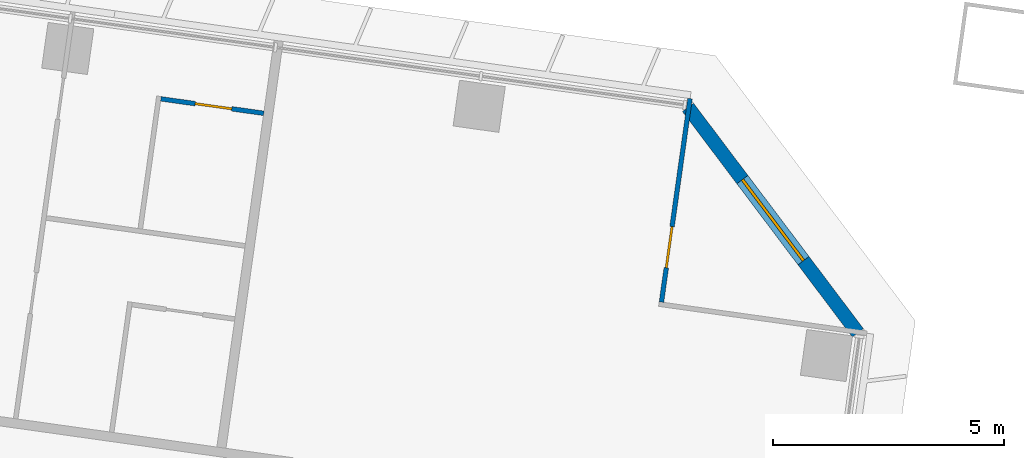
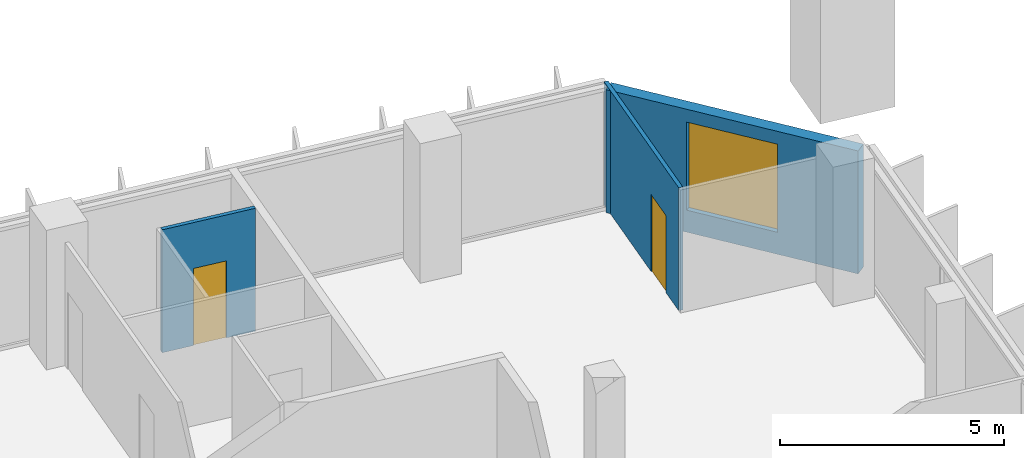
# One storey, part 18 of 25: 3 walls, 2 doors, 1 window, 3 openings.
"""IFC4 building model written with IfcOpenShell, lengths in metres."""

from ifc_helpers import new_model, si_unit, direction, frame, frame_2d, origin, place, context, subcontext, project, spatial, rectangle, extrude, material, layer, layer_set, type_object, element, fill, save


model = new_model("IFC4")

# Units and contexts
model_context = context("Model", 3, precision=1e-05, world=origin(), true_north=direction((0.0, 1.0)))
body_context = subcontext(model_context, "Body", "Model", "MODEL_VIEW")
ifc_project = project(units=[si_unit("LENGTHUNIT", "METRE"), si_unit("AREAUNIT", "SQUARE_METRE"), si_unit("VOLUMEUNIT", "CUBIC_METRE"), si_unit("PLANEANGLEUNIT", "RADIAN"), si_unit("MASSUNIT", "GRAM", prefix="KILO")], contexts=[model_context])

# Site, building, storey
site_placement = place(None, origin())
site = spatial("IfcSite", under=ifc_project, at=site_placement, CompositionType="ELEMENT")
building_placement = place(site_placement, origin())
building = spatial("IfcBuilding", under=site, at=building_placement, Name="Mirante Cascada Hotel Towers", CompositionType="ELEMENT")
storey_placement = place(building_placement, frame((0.0, 0.0, 62.3)))
storey = spatial("IfcBuildingStorey", under=building, at=storey_placement, Name="L12", CompositionType="ELEMENT", Elevation=62.3)

# Wall, opening, door
ifc_material_1 = material(Name="Plasterboard on metal studs")
ifc_layer_1 = layer(ifc_material_1, 0.1)
ifc_layer_set_1 = layer_set([ifc_layer_1], Name="Partition 100")
wall_type_1 = type_object("IfcWallType", Name="Partition 100", PredefinedType="PARTITIONING", material=ifc_layer_set_1)
wall_1_placement = place(storey_placement, frame((-43.2741, 17.4366, 0.0), z_axis=(0.0, 0.0, 1.0), x_axis=(0.9902643, -0.1391997, 0.0)))
wall_1 = element("IfcWall", 1, at=wall_1_placement, inside=storey, type_object=wall_type_1, Name="Wall 1-L12-28", PredefinedType="PARTITIONING", context=body_context, shape_type="SweptSolid", body=[
    extrude(rectangle(XDim=2.25, YDim=0.1, at=frame_2d((1.125, 0.0))), origin(), (0.0, 0.0, 1.0), 3.35),
])
opening_1_placement = place(wall_1_placement, frame((0.75, 0.0, 0.0)))
opening_1 = element("IfcOpeningElement", 2, at=opening_1_placement, cuts=wall_1, Name="Opening D1-L12-23", PredefinedType="OPENING", context=body_context, shape_type="SweptSolid", body=[
    extrude(rectangle(XDim=0.8, YDim=2.1, at=frame_2d((0.4, 1.05))), frame((0.0, 0.05, 0.0), z_axis=(0.0, -1.0, 0.0), x_axis=(1.0, 0.0, 0.0)), (0.0, 0.0, 1.0), 0.1),
])
ifc_material_2 = material(Name="Timber door leaf", Category="wood")
door_type_1 = type_object("IfcDoorType", Name="Bathroom door DG4 800x2100", OperationType="SINGLE_SWING_LEFT", PredefinedType="DOOR", material=ifc_material_2)
door_1_placement = place(opening_1_placement, frame((0.8, 0.0, 0.0), z_axis=(0.0, 0.0, 1.0), x_axis=(-1.0, 0.0, 0.0)))
door_1 = element("IfcDoor", 3, at=door_1_placement, inside=storey, type_object=door_type_1, Name="Door D1-L12-23", OperationType="SINGLE_SWING_RIGHT", OverallHeight=2.1, OverallWidth=0.8, PredefinedType="DOOR", context=body_context, shape_type="SweptSolid", body=[
    extrude(rectangle(XDim=0.8, YDim=2.1, at=frame_2d((0.4, 1.05))), frame((0.0, 0.025, 0.0), z_axis=(0.0, -1.0, 0.0), x_axis=(1.0, 0.0, 0.0)), (0.0, 0.0, 1.0), 0.05),
])
fill(opening_1, door_1)

wall_2_placement = place(storey_placement, frame((-31.8119, 17.4414, 0.0), z_axis=(0.0, 0.0, 1.0), x_axis=(-0.1391684, -0.9902687, 0.0)))
wall_2 = element("IfcWall", 4, at=wall_2_placement, inside=storey, type_object=wall_type_1, Name="Wall 1-L12-34", PredefinedType="PARTITIONING", context=body_context, shape_type="SweptSolid", body=[
    extrude(rectangle(XDim=4.45, YDim=0.1, at=frame_2d((2.225, 0.0))), origin(), (0.0, 0.0, 1.0), 3.35),
])
opening_2_placement = place(wall_2_placement, frame((2.8, 0.0, 0.0)))
opening_2 = element("IfcOpeningElement", 5, at=opening_2_placement, cuts=wall_2, Name="Opening D1-L12-29", PredefinedType="OPENING", context=body_context, shape_type="SweptSolid", body=[
    extrude(rectangle(XDim=0.9, YDim=2.1, at=frame_2d((0.45, 1.05))), frame((0.0, 0.05, 0.0), z_axis=(0.0, -1.0, 0.0), x_axis=(1.0, 0.0, 0.0)), (0.0, 0.0, 1.0), 0.1),
])
ifc_material_3 = material(Name="Timber door leaf", Category="wood")
door_type_2 = type_object("IfcDoorType", Name="Room door DG3 900x2100", OperationType="SINGLE_SWING_LEFT", PredefinedType="DOOR", material=ifc_material_3)
door_2_placement = place(opening_2_placement, frame((0.9, 0.0, 0.0), z_axis=(0.0, 0.0, 1.0), x_axis=(-1.0, 0.0, 0.0)))
door_2 = element("IfcDoor", 6, at=door_2_placement, inside=storey, type_object=door_type_2, Name="Door D1-L12-29", OperationType="SINGLE_SWING_RIGHT", OverallHeight=2.1, OverallWidth=0.9, PredefinedType="DOOR", context=body_context, shape_type="SweptSolid", body=[
    extrude(rectangle(XDim=0.9, YDim=2.1, at=frame_2d((0.45, 1.05))), frame((0.0, 0.025, 0.0), z_axis=(0.0, -1.0, 0.0), x_axis=(1.0, 0.0, 0.0)), (0.0, 0.0, 1.0), 0.05),
])
fill(opening_2, door_2)

# Wall, opening, window
ifc_material_4 = material(Name="Precast concrete C40/50", Category="concrete")
ifc_layer_2 = layer(ifc_material_4, 0.3)
ifc_layer_set_2 = layer_set([ifc_layer_2], Name="Precast concrete C40/50 cladding wall 300")
wall_type_2 = type_object("IfcWallType", Name="Precast concrete C40/50 cladding wall 300", PredefinedType="STANDARD", material=ifc_layer_set_2)
wall_3_placement = place(storey_placement, frame((-31.857, 17.252, 0.0), z_axis=(0.0, 0.0, 1.0), x_axis=(0.6018141, -0.7986362, 0.0)))
wall_3 = element("IfcWall", 7, at=wall_3_placement, inside=storey, type_object=wall_type_2, Name="Corner cladding wall T1 L12 front inner", PredefinedType="STANDARD", context=body_context, shape_type="SweptSolid", body=[
    extrude(rectangle(XDim=6.1157, YDim=0.3, at=frame_2d((3.0578, 0.0))), origin(), (0.0, 0.0, 1.0), 3.35),
])
opening_3_placement = place(wall_3_placement, frame((1.9578, 0.0, 0.6)))
opening_3 = element("IfcOpeningElement", 8, at=opening_3_placement, cuts=wall_3, Name="Opening W1-12-04", PredefinedType="OPENING", context=body_context, shape_type="SweptSolid", body=[
    extrude(rectangle(XDim=2.2, YDim=2.4, at=frame_2d((1.1, 1.2))), frame((0.0, 0.15, 0.0), z_axis=(0.0, -1.0, 0.0), x_axis=(1.0, 0.0, 0.0)), (0.0, 0.0, 1.0), 0.3),
])
ifc_material_5 = material(Name="Aluminium frame with clear double glazing", Category="aluminium")
window_type = type_object("IfcWindowType", Name="Corner suite window 2200x2400", PartitioningType="DOUBLE_PANEL_VERTICAL", PredefinedType="WINDOW", material=ifc_material_5)
window_placement = place(opening_3_placement, origin())
window = element("IfcWindow", 9, at=window_placement, inside=storey, type_object=window_type, Name="Window W1-12-04", OverallHeight=2.4, OverallWidth=2.2, PartitioningType="SINGLE_PANEL", PredefinedType="WINDOW", context=body_context, shape_type="SweptSolid", body=[
    extrude(rectangle(XDim=2.2, YDim=2.4, at=frame_2d((1.1, 1.2))), frame((0.0, 0.03, 0.0), z_axis=(0.0, -1.0, 0.0), x_axis=(1.0, 0.0, 0.0)), (0.0, 0.0, 1.0), 0.06),
])
fill(opening_3, window)

save(model, "model.ifc")
